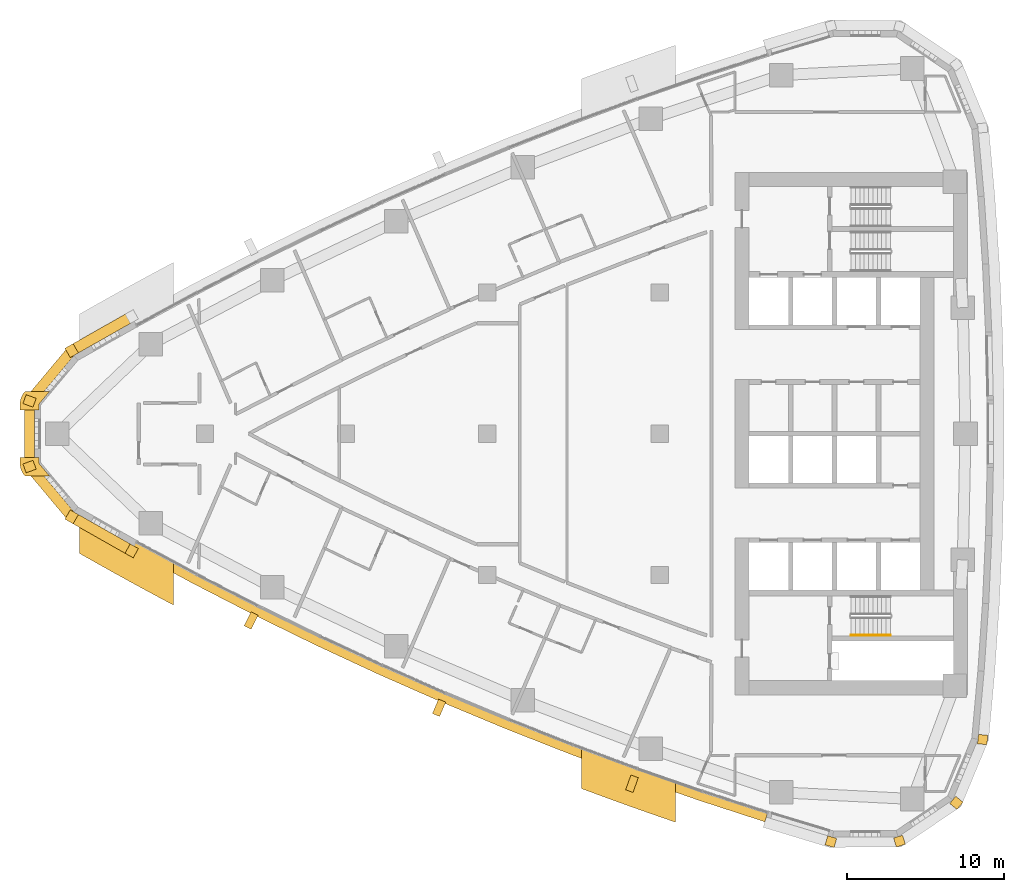
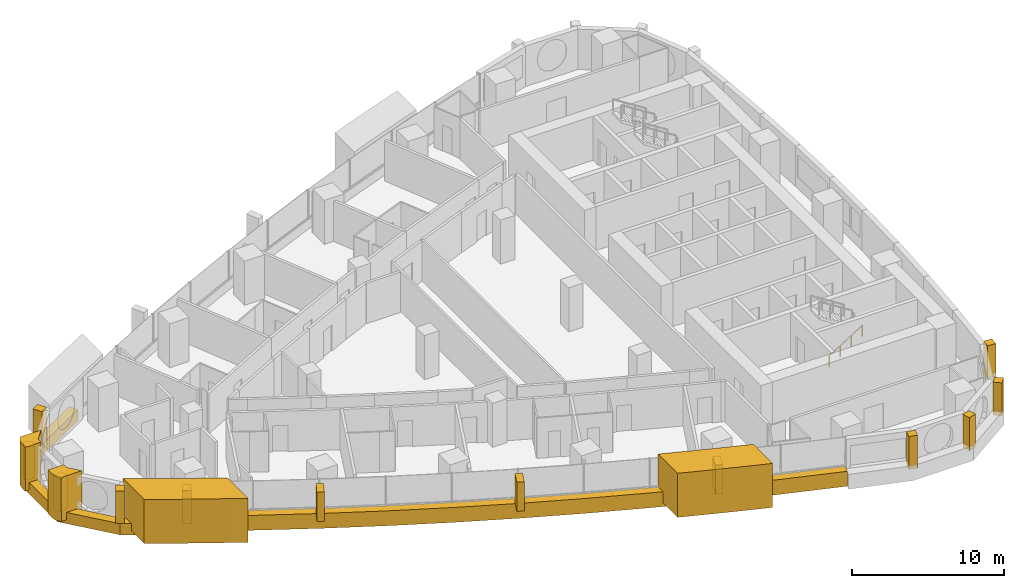
# One storey, part 14 of 17: 18 coverings, 1 railing.
"""IFC4 building model written with IfcOpenShell, lengths in metres."""

from ifc_helpers import new_model, si_unit, direction, frame, frame_2d, origin, origin_2d, place, context, subcontext, project, spatial, polyline, rectangle, circle, outline, extrude, material, layer, layer_set, type_object, element, save


model = new_model("IFC4")

# Units and contexts
model_context = context("Model", 3, precision=1e-05, world=origin(), true_north=direction((0.0, 1.0)))
body_context = subcontext(model_context, "Body", "Model", "MODEL_VIEW")
ifc_project = project(units=[si_unit("LENGTHUNIT", "METRE"), si_unit("AREAUNIT", "SQUARE_METRE"), si_unit("VOLUMEUNIT", "CUBIC_METRE"), si_unit("PLANEANGLEUNIT", "RADIAN"), si_unit("MASSUNIT", "GRAM", prefix="KILO")], contexts=[model_context])

# Site, building, storey
site_placement = place(None, origin())
site = spatial("IfcSite", under=ifc_project, at=site_placement, CompositionType="ELEMENT")
building_placement = place(site_placement, origin())
building = spatial("IfcBuilding", under=site, at=building_placement, Name="Ostrand Prow Hotel Tower", CompositionType="ELEMENT")
storey_placement = place(building_placement, frame((0.0, 0.0, 158.60009765625)))
storey = spatial("IfcBuildingStorey", under=building, at=storey_placement, Name="L39", CompositionType="ELEMENT", Elevation=158.60009765625)

# Coverings
ifc_material_1 = material(Name="Bronze anodised aluminium cladding", Category="aluminium")
ifc_layer_1 = layer(ifc_material_1, 0.60009765625)
ifc_layer_set_1 = layer_set([ifc_layer_1], Name="Bronze anodised aluminium cladding")
covering_type_1 = type_object("IfcCoveringType", Name="Bronze prow band 899x600", PredefinedType="CLADDING", material=ifc_layer_set_1)
covering_1_placement = place(storey_placement, frame((0.0, 0.0, -0.300048828125)))
element("IfcCovering", 1, at=covering_1_placement, inside=storey, type_object=covering_type_1, Name="Bronze prow band", PredefinedType="CLADDING", context=body_context, shape_type="SweptSolid", body=[
    extrude(outline(polyline([(11.16845703125, 7.766845703125), (7.335205078125, 5.594970703125), (4.5009765625, 2.208251953125), (4.5009765625, -2.208251953125), (7.335205078125, -5.594970703125), (11.16845703125, -7.766845703125), (11.497802734375, -7.171875), (7.676513671875, -5.006591796875), (5.14013671875, -1.97607421875), (5.14013671875, 1.97607421875), (7.676513671875, 5.006591796875), (11.497802734375, 7.171875), (11.16845703125, 7.766845703125)])), origin(), (0.0, 0.0, 1.0), 0.89990234375),
])
ifc_material_2 = material(Name="Bronze anodised aluminium cladding", Category="aluminium")
ifc_layer_2 = layer(ifc_material_2, 0.60009765625)
ifc_layer_set_2 = layer_set([ifc_layer_2], Name="Bronze anodised aluminium cladding")
covering_type_2 = type_object("IfcCoveringType", Name="Bronze spandrel band 1200x600", PredefinedType="CLADDING", material=ifc_layer_set_2)
covering_2_placement = place(storey_placement, frame((0.0, 0.0, -0.300048828125)))
element("IfcCovering", 2, at=covering_2_placement, inside=storey, type_object=covering_type_2, Name="Spandrel band S1", PredefinedType="CLADDING", context=body_context, shape_type="SweptSolid", body=[
    extrude(outline(polyline([(11.3466796875, -7.445068359375), (15.21630859375, -9.535888671875), (19.126953125, -11.548828125), (23.077392578125, -13.482666015625), (27.06591796875, -15.336669921875), (31.091064453125, -17.110107421875), (35.15087890625, -18.80224609375), (39.243896484375, -20.41259765625), (43.368408203125, -21.9404296875), (47.522705078125, -23.385009765625), (51.705322265625, -24.74560546875), (51.88525390625, -24.17333984375), (47.714111328125, -22.81640625), (43.571044921875, -21.375732421875), (39.457763671875, -19.85205078125), (35.376220703125, -18.24609375), (31.327392578125, -16.55859375), (27.3134765625, -14.7900390625), (23.335693359375, -12.941162109375), (19.396240234375, -11.0126953125), (15.49609375, -9.00537109375), (11.63720703125, -6.920166015625), (11.3466796875, -7.445068359375)])), origin(), (0.0, 0.0, 1.0), 1.199951171875),
])
ifc_material_3 = material(Name="Limestone cladding", Category="masonry")
ifc_layer_3 = layer(ifc_material_3, 5.0)
ifc_layer_set_3 = layer_set([ifc_layer_3], Name="Limestone cladding")
covering_type_3 = type_object("IfcCoveringType", Name="Portal jamb pilaster limestone", PredefinedType="CLADDING", material=ifc_layer_set_3)
covering_3_placement = place(storey_placement, origin())
element("IfcCovering", 3, at=covering_3_placement, inside=storey, type_object=covering_type_3, Name="Portal jamb SA L39", PredefinedType="CLADDING", context=body_context, shape_type="SweptSolid", body=[
    extrude(outline(polyline([(8.0, -4.861572265625), (8.0, -7.62939453125), (9.0, -8.1962890625), (10.0, -8.75634765625), (11.0, -9.3095703125), (12.0, -9.856201171875), (13.0, -10.39599609375), (14.0, -10.92919921875), (14.0, -8.208740234375), (13.0, -7.66796875), (12.0, -7.12060546875), (11.0, -6.566162109375), (10.0, -6.0048828125), (9.0, -5.436767578125), (8.0, -4.861572265625)])), origin(), (0.0, 0.0, 1.0), 3.5498046875),
])
covering_4_placement = place(storey_placement, origin())
element("IfcCovering", 4, at=covering_4_placement, inside=storey, type_object=covering_type_3, Name="Portal jamb SB L39", PredefinedType="CLADDING", context=body_context, shape_type="SweptSolid", body=[
    extrude(outline(polyline([(40.0, -20.058349609375), (40.0, -22.622802734375), (41.0, -22.994140625), (42.0, -23.360107421875), (43.0, -23.720458984375), (44.0, -24.075439453125), (45.0, -24.425048828125), (46.0, -24.769287109375), (46.0, -22.231689453125), (45.0, -21.883056640625), (44.0, -21.529296875), (43.0, -21.169921875), (42.0, -20.804931640625), (41.0, -20.434326171875), (40.0, -20.058349609375)])), origin(), (0.0, 0.0, 1.0), 3.5498046875),
])
ifc_material_4 = material(Name="Limestone cladding", Category="masonry")
ifc_layer_4 = layer(ifc_material_4, 0.5)
ifc_layer_set_4 = layer_set([ifc_layer_4], Name="Limestone cladding")
covering_type_4 = type_object("IfcCoveringType", Name="Precast stone fin 500x900", PredefinedType="CLADDING", material=ifc_layer_set_4)
covering_5_placement = place(storey_placement, frame((19.171875, -11.45947265625, 0.89990234375), z_axis=(0.0, 0.0, 1.0), x_axis=(-0.448677667264, -0.893693656069, 0.0)))
element("IfcCovering", 5, at=covering_5_placement, inside=storey, type_object=covering_type_4, Name="Stone fin S 3", PredefinedType="CLADDING", context=body_context, shape_type="SweptSolid", body=[
    extrude(rectangle(XDim=1.0, YDim=0.5, at=frame_2d((0.5, 0.0))), origin(), (0.0, 0.0, 1.0), 2.35009765625),
])
covering_6_placement = place(storey_placement, frame((31.13037109375, -17.018310546875, 0.89990234375), z_axis=(0.0, 0.0, 1.0), x_axis=(-0.394096106618, -0.919069235013, 0.0)))
element("IfcCovering", 6, at=covering_6_placement, inside=storey, type_object=covering_type_4, Name="Stone fin S 6", PredefinedType="CLADDING", context=body_context, shape_type="SweptSolid", body=[
    extrude(rectangle(XDim=0.999755859375, YDim=0.5, at=frame_2d((0.5, 0.0))), origin(), (0.0, 0.0, 1.0), 2.35009765625),
])
covering_7_placement = place(storey_placement, frame((43.402099609375, -21.84619140625, 0.89990234375), z_axis=(0.0, 0.0, 1.0), x_axis=(-0.3378203991, -0.941210591713, 0.0)))
element("IfcCovering", 7, at=covering_7_placement, inside=storey, type_object=covering_type_4, Name="Stone fin S 9", PredefinedType="CLADDING", context=body_context, shape_type="SweptSolid", body=[
    extrude(rectangle(XDim=1.000244140625, YDim=0.5, at=frame_2d((0.5, 0.0))), origin(), (0.0, 0.0, 1.0), 2.35009765625),
])
ifc_material_5 = material(Name="Limestone cladding", Category="masonry")
ifc_layer_5 = layer(ifc_material_5, 0.60009765625)
ifc_layer_set_5 = layer_set([ifc_layer_5], Name="Limestone cladding")
covering_type_5 = type_object("IfcCoveringType", Name="Precast stone prow rib 600x600", PredefinedType="CLADDING", material=ifc_layer_set_5)
covering_8_placement = place(storey_placement, frame((7.676513671875, 5.006591796875, 0.599853515625), z_axis=(0.0, 0.0, 1.0), x_axis=(-0.501771803437, 0.865000033107, 0.0)))
element("IfcCovering", 8, at=covering_8_placement, inside=storey, type_object=covering_type_5, Name="Stone prow rib 2", PredefinedType="CLADDING", context=body_context, shape_type="SweptSolid", body=[
    extrude(rectangle(XDim=0.68017578125, YDim=0.60009765625, at=frame_2d((0.340087890625, 0.0))), origin(), (0.0, 0.0, 1.0), 2.650146484375),
])
for number, where, z_axis, x_axis, name in (
    (9, (5.14013671875, 1.97607421875, 0.599853515625), (0.0, 0.0, 1.0), (-0.939908674991, 0.341425954896, 0.0), "Stone prow rib 3"),
    (10, (5.14013671875, -1.97607421875, 0.599853515625), (0.0, 0.0, 1.0), (-0.939908674991, -0.341425954896, 0.0), "Stone prow rib 4"),
):
    element("IfcCovering", number, at=place(storey_placement, frame(where, z_axis=z_axis, x_axis=x_axis)), inside=storey, type_object=covering_type_5, Name=name, PredefinedType="CLADDING", context=body_context, shape_type="SweptSolid", body=[
        extrude(rectangle(XDim=0.679931640625, YDim=0.60009765625, at=frame_2d((0.33984375, 0.0))), origin(), (0.0, 0.0, 1.0), 2.650146484375),
    ])
covering_9_placement = place(storey_placement, frame((7.676513671875, -5.006591796875, 0.599853515625), z_axis=(0.0, 0.0, 1.0), x_axis=(-0.501771803437, -0.865000033107, 0.0)))
element("IfcCovering", 11, at=covering_9_placement, inside=storey, type_object=covering_type_5, Name="Stone prow rib 5", PredefinedType="CLADDING", context=body_context, shape_type="SweptSolid", body=[
    extrude(rectangle(XDim=0.68017578125, YDim=0.60009765625, at=frame_2d((0.340087890625, 0.0))), origin(), (0.0, 0.0, 1.0), 2.650146484375),
])
covering_10_placement = place(storey_placement, frame((11.497802734375, -7.171875, 0.599853515625), z_axis=(0.0, 0.0, 1.0), x_axis=(-0.484301161624, -0.874901357211, 0.0)))
element("IfcCovering", 12, at=covering_10_placement, inside=storey, type_object=covering_type_5, Name="Stone prow rib 6", PredefinedType="CLADDING", context=body_context, shape_type="SweptSolid", body=[
    extrude(rectangle(XDim=0.679931640625, YDim=0.60009765625, at=frame_2d((0.33984375, 0.0))), origin(), (0.0, 0.0, 1.0), 2.650146484375),
])
covering_11_placement = place(storey_placement, frame((56.001953125, -25.722412109375, 0.599853515625), z_axis=(0.0, 0.0, 1.0), x_axis=(-0.280734221166, -0.959785547436, 0.0)))
element("IfcCovering", 13, at=covering_11_placement, inside=storey, type_object=covering_type_5, Name="Stone corner rib 2a", PredefinedType="CLADDING", context=body_context, shape_type="SweptSolid", body=[
    extrude(rectangle(XDim=0.60009765625, YDim=0.60009765625, at=frame_2d((0.300048828125, 0.0))), origin(), (0.0, 0.0, 1.0), 2.650146484375),
])
for number, where, z_axis, x_axis, name in (
    (14, (60.201171875, -25.689697265625, 0.599853515625), (0.0, 0.0, 1.0), (0.295515682615, -0.955337888565, 0.0), "Stone corner rib 3a"),
    (15, (63.68505859375, -23.34521484375, 0.599853515625), (0.0, 0.0, 1.0), (0.773830327772, -0.633392945825, 0.0), "Stone corner rib 4a"),
):
    element("IfcCovering", number, at=place(storey_placement, frame(where, z_axis=z_axis, x_axis=x_axis)), inside=storey, type_object=covering_type_5, Name=name, PredefinedType="CLADDING", context=body_context, shape_type="SweptSolid", body=[
        extrude(rectangle(XDim=0.599853515625, YDim=0.60009765625, at=frame_2d((0.2998046875, 0.0))), origin(), (0.0, 0.0, 1.0), 2.650146484375),
    ])
covering_12_placement = place(storey_placement, frame((65.296875, -19.467529296875, 0.599853515625), z_axis=(0.0, 0.0, 1.0), x_axis=(0.994854249607, -0.101316445052, 0.0)))
element("IfcCovering", 16, at=covering_12_placement, inside=storey, type_object=covering_type_5, Name="Stone corner rib 4b", PredefinedType="CLADDING", context=body_context, shape_type="SweptSolid", body=[
    extrude(rectangle(XDim=0.60009765625, YDim=0.60009765625, at=frame_2d((0.300048828125, 0.0))), origin(), (0.0, 0.0, 1.0), 2.650146484375),
])
ifc_material_6 = material(Name="Limestone cladding", Category="masonry")
ifc_layer_6 = layer(ifc_material_6, 3.0)
ifc_layer_set_6 = layer_set([ifc_layer_6], Name="Limestone cladding")
covering_type_6 = type_object("IfcCoveringType", Name="Prow nose pier limestone", PredefinedType="CLADDING", material=ifc_layer_set_6)
covering_13_placement = place(storey_placement, origin())
element("IfcCovering", 17, at=covering_13_placement, inside=storey, type_object=covering_type_6, Name="Prow spine fin N L39", PredefinedType="CLADDING", context=body_context, shape_type="SweptSolid", body=[
    extrude(outline(polyline([(4.210693359375, 1.877685546875), (4.210693359375, 1.5), (5.41064453125, 1.5), (5.41064453125, 1.877685546875), (6.098876953125, 2.699951171875), (4.533935546875, 2.699951171875), (4.490478515625, 2.64794921875), (4.41845703125, 2.552490234375), (4.356201171875, 2.45068359375), (4.304443359375, 2.343017578125), (4.263916015625, 2.230712890625), (4.234375, 2.114990234375), (4.216552734375, 1.9970703125), (4.210693359375, 1.877685546875)])), origin(), (0.0, 0.0, 1.0), 3.5498046875),
])
covering_14_placement = place(storey_placement, origin())
element("IfcCovering", 18, at=covering_14_placement, inside=storey, type_object=covering_type_6, Name="Prow spine fin S L39", PredefinedType="CLADDING", context=body_context, shape_type="SweptSolid", body=[
    extrude(outline(polyline([(4.490478515625, -2.64794921875), (4.533935546875, -2.699951171875), (6.098876953125, -2.699951171875), (5.41064453125, -1.877685546875), (5.41064453125, -1.5), (4.210693359375, -1.5), (4.210693359375, -1.877685546875), (4.216552734375, -1.9970703125), (4.234375, -2.114990234375), (4.263916015625, -2.230712890625), (4.304443359375, -2.343017578125), (4.356201171875, -2.45068359375), (4.41845703125, -2.552490234375), (4.490478515625, -2.64794921875)])), origin(), (0.0, 0.0, 1.0), 3.5498046875),
])

# Railing
ifc_material_7 = material(Name="Stainless steel", Category="steel")
railing_type = type_object("IfcRailingType", Name="Stair handrail 900", PredefinedType="HANDRAIL", material=ifc_material_7)
railing_placement = place(storey_placement, frame((57.199951171875, -12.85009765625, 0.177490234375)))
element("IfcRailing", 19, at=railing_placement, inside=storey, type_object=railing_type, Name="L39 ST2C stair handrail 1", PredefinedType="HANDRAIL", context=body_context, shape_type="SweptSolid", body=[
    extrude(circle(Radius=0.02392578125, at=origin_2d()), frame((0.0, 0.0, 0.8759765625), z_axis=(0.84460694969, 0.0, 0.535386869969), x_axis=(0.0, 1.0, 0.0)), (0.0, 0.0, 1.0), 2.983642578125),
    extrude(circle(Radius=0.02099609375, at=origin_2d()), origin(), (0.0, 0.0, 1.0), 0.851806640625),
    extrude(circle(Radius=0.02099609375, at=origin_2d()), frame((0.840087890625, 0.0, 0.532470703125)), (0.0, 0.0, 1.0), 0.851806640625),
    extrude(circle(Radius=0.02099609375, at=origin_2d()), frame((1.679931640625, 0.0, 1.06494140625)), (0.0, 0.0, 1.0), 0.851806640625),
    extrude(circle(Radius=0.02099609375, at=origin_2d()), frame((2.52001953125, 0.0, 1.597412109375)), (0.0, 0.0, 1.0), 0.851806640625),
])

save(model, "model.ifc")
